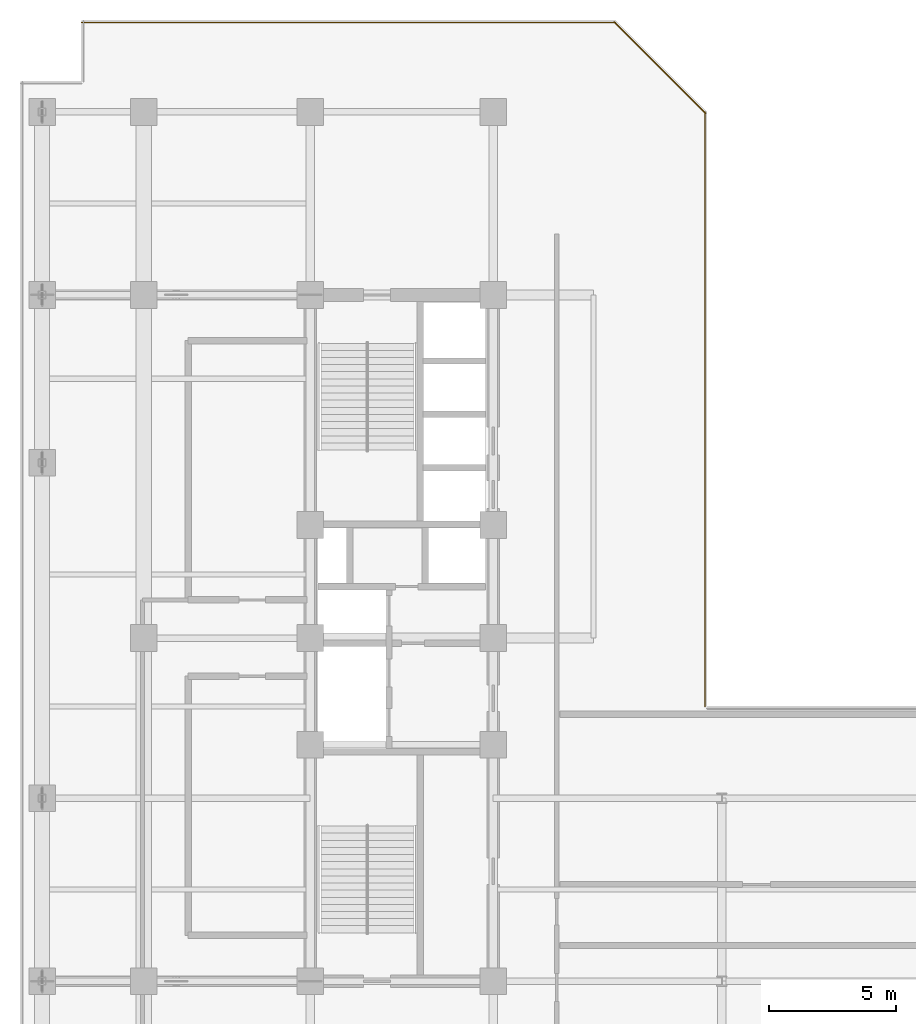
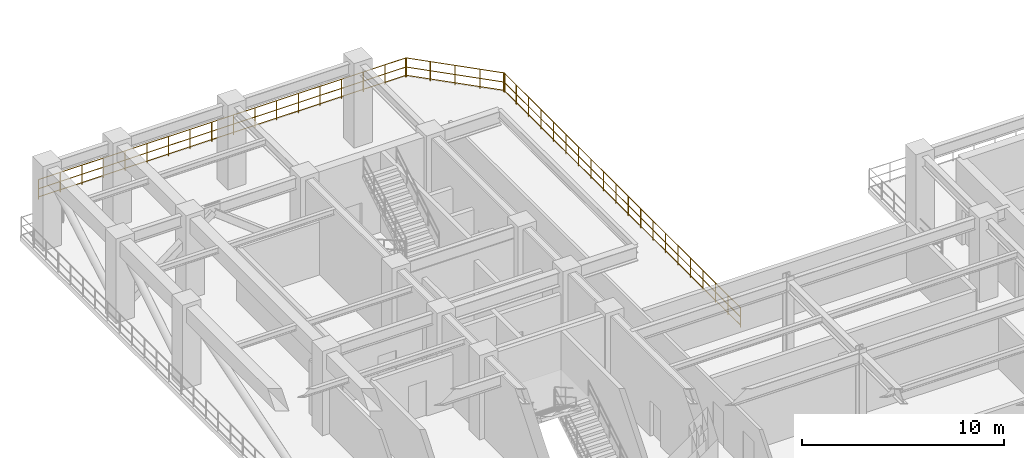
# One storey, part 16 of 16: 3 railings.
"""IFC4 building model written with IfcOpenShell, lengths in metres."""

from ifc_helpers import new_model, entity, si_unit, converted_unit, direction, frame, origin_with_axes, origin_2d_with_axis, place, context, subcontext, project, spatial, rectangle, circle, extrude, material, type_object, element, save


model = new_model("IFC4")

# Units and contexts
model_context = context("Model", 3, precision=1e-05, world=origin_with_axes(), true_north=direction((0.0, 1.0)))
body_context = subcontext(model_context, "Body", "Model", "MODEL_VIEW")
ifc_project = project(units=[si_unit("LENGTHUNIT", "METRE"), si_unit("AREAUNIT", "SQUARE_METRE"), si_unit("VOLUMEUNIT", "CUBIC_METRE"), converted_unit("PLANEANGLEUNIT", "DEGREE", entity("IfcPlaneAngleMeasure", 0.017453292519943295), si_unit("PLANEANGLEUNIT", "RADIAN"), dimensions=[0, 0, 0, 0, 0, 0, 0]), si_unit("MASSUNIT", "GRAM", prefix="KILO"), si_unit("THERMODYNAMICTEMPERATUREUNIT", "KELVIN")], contexts=[model_context])

# Site, building, storey
site_placement = place(None, origin_with_axes())
site = spatial("IfcSite", under=ifc_project, at=site_placement, CompositionType="ELEMENT")
building_placement = place(site_placement, origin_with_axes())
building = spatial("IfcBuilding", under=site, at=building_placement, Name="Varnlund Millrace Tower", CompositionType="ELEMENT")
storey_placement = place(building_placement, frame((0.0, 0.0, 187.5), z_axis=(0.0, 0.0, 1.0), x_axis=(1.0, 0.0, 0.0)))
storey = spatial("IfcBuildingStorey", under=building, at=storey_placement, Name="L46", CompositionType="ELEMENT", Elevation=187.5)

# Railings
ifc_material = material(Name="Architectural bronze balustrade guard", Category="aluminium")
railing_type = type_object("IfcRailingType", Name="Type-Guard-Perimeter-1150", PredefinedType="BALUSTRADE", material=ifc_material)
railing_1_placement = place(storey_placement, frame((0.0, 0.0, -187.5), z_axis=(0.0, 0.0, 1.0), x_axis=(1.0, 0.0, 0.0)))
element("IfcRailing", 1, at=railing_1_placement, inside=storey, type_object=railing_type, Name="Type-Guard-Perimeter-1150", PredefinedType="BALUSTRADE", context=body_context, shape_type="SweptSolid", body=[
    extrude(circle(Radius=0.024, at=origin_2d_with_axis()), frame((26.94, 21.6, 188.65), z_axis=(0.0, 1.0, 0.0), x_axis=(-1.0, 0.0, 0.0)), (0.0, 0.0, 1.0), 23.4),
    extrude(circle(Radius=0.024, at=origin_2d_with_axis()), frame((26.94, 21.6, 187.6), z_axis=(0.0, 1.0, 0.0), x_axis=(-1.0, 0.0, 0.0)), (0.0, 0.0, 1.0), 23.4),
    extrude(circle(Radius=0.024, at=origin_2d_with_axis()), frame((26.94, 21.6, 188.098), z_axis=(0.0, 1.0, 0.0), x_axis=(-1.0, 0.0, 0.0)), (0.0, 0.0, 1.0), 23.4),
    extrude(rectangle(XDim=0.04, YDim=0.04, at=origin_2d_with_axis()), frame((26.94, 21.6, 187.46), z_axis=(0.0, 0.0, 1.0), x_axis=(1.0, 0.0, 0.0)), (0.0, 0.0, 1.0), 1.19),
    extrude(rectangle(XDim=0.04, YDim=0.04, at=origin_2d_with_axis()), frame((26.94, 22.831579, 187.46), z_axis=(0.0, 0.0, 1.0), x_axis=(1.0, 0.0, 0.0)), (0.0, 0.0, 1.0), 1.19),
    extrude(rectangle(XDim=0.04, YDim=0.04, at=origin_2d_with_axis()), frame((26.94, 24.063158, 187.46), z_axis=(0.0, 0.0, 1.0), x_axis=(1.0, 0.0, 0.0)), (0.0, 0.0, 1.0), 1.19),
    extrude(rectangle(XDim=0.04, YDim=0.04, at=origin_2d_with_axis()), frame((26.94, 25.294737, 187.46), z_axis=(0.0, 0.0, 1.0), x_axis=(1.0, 0.0, 0.0)), (0.0, 0.0, 1.0), 1.19),
    extrude(rectangle(XDim=0.04, YDim=0.04, at=origin_2d_with_axis()), frame((26.94, 26.526316, 187.46), z_axis=(0.0, 0.0, 1.0), x_axis=(1.0, 0.0, 0.0)), (0.0, 0.0, 1.0), 1.19),
    extrude(rectangle(XDim=0.04, YDim=0.04, at=origin_2d_with_axis()), frame((26.94, 27.757895, 187.46), z_axis=(0.0, 0.0, 1.0), x_axis=(1.0, 0.0, 0.0)), (0.0, 0.0, 1.0), 1.19),
    extrude(rectangle(XDim=0.04, YDim=0.04, at=origin_2d_with_axis()), frame((26.94, 28.989474, 187.46), z_axis=(0.0, 0.0, 1.0), x_axis=(1.0, 0.0, 0.0)), (0.0, 0.0, 1.0), 1.19),
    extrude(rectangle(XDim=0.04, YDim=0.04, at=origin_2d_with_axis()), frame((26.94, 30.221053, 187.46), z_axis=(0.0, 0.0, 1.0), x_axis=(1.0, 0.0, 0.0)), (0.0, 0.0, 1.0), 1.19),
    extrude(rectangle(XDim=0.04, YDim=0.04, at=origin_2d_with_axis()), frame((26.94, 31.452632, 187.46), z_axis=(0.0, 0.0, 1.0), x_axis=(1.0, 0.0, 0.0)), (0.0, 0.0, 1.0), 1.19),
    extrude(rectangle(XDim=0.04, YDim=0.04, at=origin_2d_with_axis()), frame((26.94, 32.684211, 187.46), z_axis=(0.0, 0.0, 1.0), x_axis=(1.0, 0.0, 0.0)), (0.0, 0.0, 1.0), 1.19),
    extrude(rectangle(XDim=0.04, YDim=0.04, at=origin_2d_with_axis()), frame((26.94, 33.915789, 187.46), z_axis=(0.0, 0.0, 1.0), x_axis=(1.0, 0.0, 0.0)), (0.0, 0.0, 1.0), 1.19),
    extrude(rectangle(XDim=0.04, YDim=0.04, at=origin_2d_with_axis()), frame((26.94, 35.147368, 187.46), z_axis=(0.0, 0.0, 1.0), x_axis=(1.0, 0.0, 0.0)), (0.0, 0.0, 1.0), 1.19),
    extrude(rectangle(XDim=0.04, YDim=0.04, at=origin_2d_with_axis()), frame((26.94, 36.378947, 187.46), z_axis=(0.0, 0.0, 1.0), x_axis=(1.0, 0.0, 0.0)), (0.0, 0.0, 1.0), 1.19),
    extrude(rectangle(XDim=0.04, YDim=0.04, at=origin_2d_with_axis()), frame((26.94, 37.610526, 187.46), z_axis=(0.0, 0.0, 1.0), x_axis=(1.0, 0.0, 0.0)), (0.0, 0.0, 1.0), 1.19),
    extrude(rectangle(XDim=0.04, YDim=0.04, at=origin_2d_with_axis()), frame((26.94, 38.842105, 187.46), z_axis=(0.0, 0.0, 1.0), x_axis=(1.0, 0.0, 0.0)), (0.0, 0.0, 1.0), 1.19),
    extrude(rectangle(XDim=0.04, YDim=0.04, at=origin_2d_with_axis()), frame((26.94, 40.073684, 187.46), z_axis=(0.0, 0.0, 1.0), x_axis=(1.0, 0.0, 0.0)), (0.0, 0.0, 1.0), 1.19),
    extrude(rectangle(XDim=0.04, YDim=0.04, at=origin_2d_with_axis()), frame((26.94, 41.305263, 187.46), z_axis=(0.0, 0.0, 1.0), x_axis=(1.0, 0.0, 0.0)), (0.0, 0.0, 1.0), 1.19),
    extrude(rectangle(XDim=0.04, YDim=0.04, at=origin_2d_with_axis()), frame((26.94, 42.536842, 187.46), z_axis=(0.0, 0.0, 1.0), x_axis=(1.0, 0.0, 0.0)), (0.0, 0.0, 1.0), 1.19),
    extrude(rectangle(XDim=0.04, YDim=0.04, at=origin_2d_with_axis()), frame((26.94, 43.768421, 187.46), z_axis=(0.0, 0.0, 1.0), x_axis=(1.0, 0.0, 0.0)), (0.0, 0.0, 1.0), 1.19),
    extrude(rectangle(XDim=0.04, YDim=0.04, at=origin_2d_with_axis()), frame((26.94, 45.0, 187.46), z_axis=(0.0, 0.0, 1.0), x_axis=(1.0, 0.0, 0.0)), (0.0, 0.0, 1.0), 1.19),
])
railing_2_placement = place(storey_placement, frame((0.0, 0.0, -187.5), z_axis=(0.0, 0.0, 1.0), x_axis=(1.0, 0.0, 0.0)))
element("IfcRailing", 2, at=railing_2_placement, inside=storey, type_object=railing_type, Name="Type-Guard-Perimeter-1150", PredefinedType="BALUSTRADE", context=body_context, shape_type="SweptSolid", body=[
    extrude(circle(Radius=0.024, at=origin_2d_with_axis()), frame((26.963, 44.943, 188.65), z_axis=(-0.707107, 0.707107, 0.0), x_axis=(-0.707107, -0.707107, 0.0)), (0.0, 0.0, 1.0), 5.091169),
    extrude(circle(Radius=0.024, at=origin_2d_with_axis()), frame((26.963, 44.943, 187.6), z_axis=(-0.707107, 0.707107, 0.0), x_axis=(-0.707107, -0.707107, 0.0)), (0.0, 0.0, 1.0), 5.091169),
    extrude(circle(Radius=0.024, at=origin_2d_with_axis()), frame((26.963, 44.943, 188.098), z_axis=(-0.707107, 0.707107, 0.0), x_axis=(-0.707107, -0.707107, 0.0)), (0.0, 0.0, 1.0), 5.091169),
    extrude(rectangle(XDim=0.04, YDim=0.04, at=origin_2d_with_axis()), frame((26.963, 44.943, 187.46), z_axis=(0.0, 0.0, 1.0), x_axis=(1.0, 0.0, 0.0)), (0.0, 0.0, 1.0), 1.19),
    extrude(rectangle(XDim=0.04, YDim=0.04, at=origin_2d_with_axis()), frame((26.063, 45.843, 187.46), z_axis=(0.0, 0.0, 1.0), x_axis=(1.0, 0.0, 0.0)), (0.0, 0.0, 1.0), 1.19),
    extrude(rectangle(XDim=0.04, YDim=0.04, at=origin_2d_with_axis()), frame((25.163, 46.743, 187.46), z_axis=(0.0, 0.0, 1.0), x_axis=(1.0, 0.0, 0.0)), (0.0, 0.0, 1.0), 1.19),
    extrude(rectangle(XDim=0.04, YDim=0.04, at=origin_2d_with_axis()), frame((24.263, 47.643, 187.46), z_axis=(0.0, 0.0, 1.0), x_axis=(1.0, 0.0, 0.0)), (0.0, 0.0, 1.0), 1.19),
    extrude(rectangle(XDim=0.04, YDim=0.04, at=origin_2d_with_axis()), frame((23.363, 48.543, 187.46), z_axis=(0.0, 0.0, 1.0), x_axis=(1.0, 0.0, 0.0)), (0.0, 0.0, 1.0), 1.19),
])
railing_3_placement = place(storey_placement, frame((0.0, 0.0, -187.5), z_axis=(0.0, 0.0, 1.0), x_axis=(1.0, 0.0, 0.0)))
element("IfcRailing", 3, at=railing_3_placement, inside=storey, type_object=railing_type, Name="Type-Guard-Perimeter-1150", PredefinedType="BALUSTRADE", context=body_context, shape_type="SweptSolid", body=[
    extrude(circle(Radius=0.024, at=origin_2d_with_axis()), frame((23.42, 48.52, 188.65), z_axis=(-1.0, 0.0, 0.0), x_axis=(0.0, -1.0, 0.0)), (0.0, 0.0, 1.0), 21.02),
    extrude(circle(Radius=0.024, at=origin_2d_with_axis()), frame((23.42, 48.52, 187.6), z_axis=(-1.0, 0.0, 0.0), x_axis=(0.0, -1.0, 0.0)), (0.0, 0.0, 1.0), 21.02),
    extrude(circle(Radius=0.024, at=origin_2d_with_axis()), frame((23.42, 48.52, 188.098), z_axis=(-1.0, 0.0, 0.0), x_axis=(0.0, -1.0, 0.0)), (0.0, 0.0, 1.0), 21.02),
    extrude(rectangle(XDim=0.04, YDim=0.04, at=origin_2d_with_axis()), frame((23.42, 48.52, 187.46), z_axis=(0.0, 0.0, 1.0), x_axis=(1.0, 0.0, 0.0)), (0.0, 0.0, 1.0), 1.19),
    extrude(rectangle(XDim=0.04, YDim=0.04, at=origin_2d_with_axis()), frame((22.183529, 48.52, 187.46), z_axis=(0.0, 0.0, 1.0), x_axis=(1.0, 0.0, 0.0)), (0.0, 0.0, 1.0), 1.19),
    extrude(rectangle(XDim=0.04, YDim=0.04, at=origin_2d_with_axis()), frame((20.947059, 48.52, 187.46), z_axis=(0.0, 0.0, 1.0), x_axis=(1.0, 0.0, 0.0)), (0.0, 0.0, 1.0), 1.19),
    extrude(rectangle(XDim=0.04, YDim=0.04, at=origin_2d_with_axis()), frame((19.710588, 48.52, 187.46), z_axis=(0.0, 0.0, 1.0), x_axis=(1.0, 0.0, 0.0)), (0.0, 0.0, 1.0), 1.19),
    extrude(rectangle(XDim=0.04, YDim=0.04, at=origin_2d_with_axis()), frame((18.474118, 48.52, 187.46), z_axis=(0.0, 0.0, 1.0), x_axis=(1.0, 0.0, 0.0)), (0.0, 0.0, 1.0), 1.19),
    extrude(rectangle(XDim=0.04, YDim=0.04, at=origin_2d_with_axis()), frame((17.237647, 48.52, 187.46), z_axis=(0.0, 0.0, 1.0), x_axis=(1.0, 0.0, 0.0)), (0.0, 0.0, 1.0), 1.19),
    extrude(rectangle(XDim=0.04, YDim=0.04, at=origin_2d_with_axis()), frame((16.001176, 48.52, 187.46), z_axis=(0.0, 0.0, 1.0), x_axis=(1.0, 0.0, 0.0)), (0.0, 0.0, 1.0), 1.19),
    extrude(rectangle(XDim=0.04, YDim=0.04, at=origin_2d_with_axis()), frame((14.764706, 48.52, 187.46), z_axis=(0.0, 0.0, 1.0), x_axis=(1.0, 0.0, 0.0)), (0.0, 0.0, 1.0), 1.19),
    extrude(rectangle(XDim=0.04, YDim=0.04, at=origin_2d_with_axis()), frame((13.528235, 48.52, 187.46), z_axis=(0.0, 0.0, 1.0), x_axis=(1.0, 0.0, 0.0)), (0.0, 0.0, 1.0), 1.19),
    extrude(rectangle(XDim=0.04, YDim=0.04, at=origin_2d_with_axis()), frame((12.291765, 48.52, 187.46), z_axis=(0.0, 0.0, 1.0), x_axis=(1.0, 0.0, 0.0)), (0.0, 0.0, 1.0), 1.19),
    extrude(rectangle(XDim=0.04, YDim=0.04, at=origin_2d_with_axis()), frame((11.055294, 48.52, 187.46), z_axis=(0.0, 0.0, 1.0), x_axis=(1.0, 0.0, 0.0)), (0.0, 0.0, 1.0), 1.19),
    extrude(rectangle(XDim=0.04, YDim=0.04, at=origin_2d_with_axis()), frame((9.818824, 48.52, 187.46), z_axis=(0.0, 0.0, 1.0), x_axis=(1.0, 0.0, 0.0)), (0.0, 0.0, 1.0), 1.19),
    extrude(rectangle(XDim=0.04, YDim=0.04, at=origin_2d_with_axis()), frame((8.582353, 48.52, 187.46), z_axis=(0.0, 0.0, 1.0), x_axis=(1.0, 0.0, 0.0)), (0.0, 0.0, 1.0), 1.19),
    extrude(rectangle(XDim=0.04, YDim=0.04, at=origin_2d_with_axis()), frame((7.345882, 48.52, 187.46), z_axis=(0.0, 0.0, 1.0), x_axis=(1.0, 0.0, 0.0)), (0.0, 0.0, 1.0), 1.19),
    extrude(rectangle(XDim=0.04, YDim=0.04, at=origin_2d_with_axis()), frame((6.109412, 48.52, 187.46), z_axis=(0.0, 0.0, 1.0), x_axis=(1.0, 0.0, 0.0)), (0.0, 0.0, 1.0), 1.19),
    extrude(rectangle(XDim=0.04, YDim=0.04, at=origin_2d_with_axis()), frame((4.872941, 48.52, 187.46), z_axis=(0.0, 0.0, 1.0), x_axis=(1.0, 0.0, 0.0)), (0.0, 0.0, 1.0), 1.19),
    extrude(rectangle(XDim=0.04, YDim=0.04, at=origin_2d_with_axis()), frame((3.636471, 48.52, 187.46), z_axis=(0.0, 0.0, 1.0), x_axis=(1.0, 0.0, 0.0)), (0.0, 0.0, 1.0), 1.19),
    extrude(rectangle(XDim=0.04, YDim=0.04, at=origin_2d_with_axis()), frame((2.4, 48.52, 187.46), z_axis=(0.0, 0.0, 1.0), x_axis=(1.0, 0.0, 0.0)), (0.0, 0.0, 1.0), 1.19),
])

save(model, "model.ifc")
